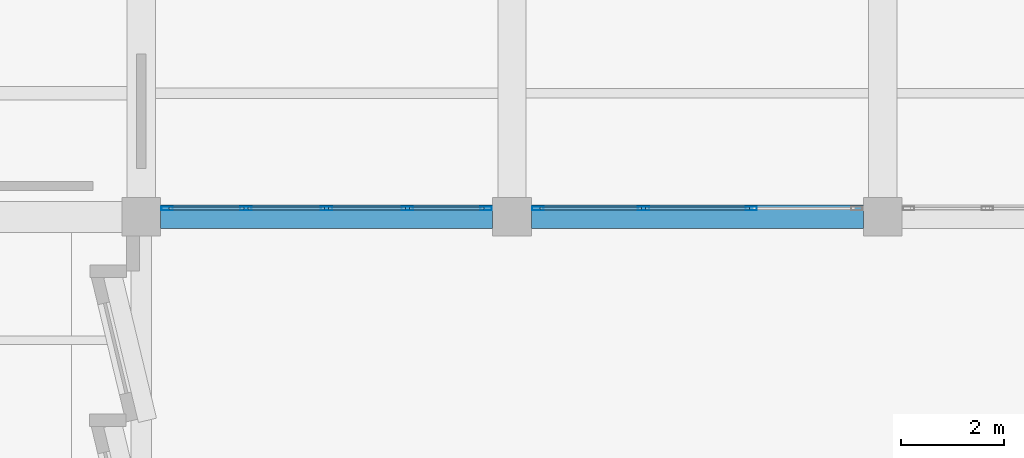
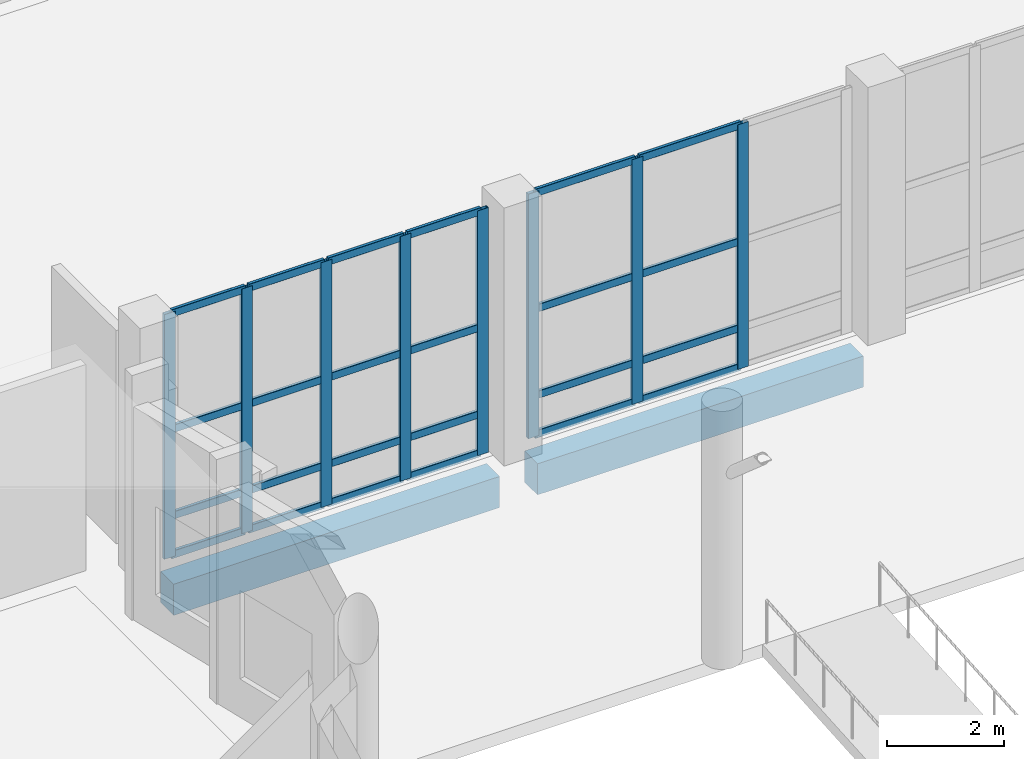
# One storey, part 10 of 137: 32 members, 2 beams, 2 elements without a shape of their own.
"""IFC4 building model written with IfcOpenShell, lengths in metres."""

from ifc_helpers import new_model, si_unit, direction, frame, origin, origin_2d, place, context, subcontext, project, spatial, rectangle, hollow_rectangle, extrude, material, material_profile, profile_set, type_object, element, aggregate, save


model = new_model("IFC4")

# Units and contexts
model_context = context("Model", 3, precision=1e-05, world=origin(), true_north=direction((0.0, 1.0)))
body_context = subcontext(model_context, "Body", "Model", "MODEL_VIEW")
ifc_project = project(units=[si_unit("LENGTHUNIT", "METRE"), si_unit("AREAUNIT", "SQUARE_METRE"), si_unit("VOLUMEUNIT", "CUBIC_METRE"), si_unit("PLANEANGLEUNIT", "RADIAN"), si_unit("MASSUNIT", "GRAM", prefix="KILO")], contexts=[model_context])

# Site, building, storey
site_placement = place(None, origin())
site = spatial("IfcSite", under=ifc_project, at=site_placement, CompositionType="ELEMENT")
building_placement = place(site_placement, origin())
building = spatial("IfcBuilding", under=site, at=building_placement, Name="Kalmorath City Hall", CompositionType="ELEMENT")
storey_placement = place(building_placement, origin())
storey = spatial("IfcBuildingStorey", under=building, at=storey_placement, Name="L00", CompositionType="ELEMENT", Elevation=0.0)

# Beams
ifc_material_1 = material(Name="Concrete C40/50", Category="concrete")
ifc_material_profile_1 = material_profile(ifc_material_1, rectangle(XDim=0.449951171875, YDim=0.64990234375, at=origin_2d()), Name="RC-BM-450X650")
ifc_profile_set_1 = profile_set([ifc_material_profile_1], Name="Concrete C40/50")
beam_type = type_object("IfcBeamType", Name="Concrete spandrel beam 450x650", PredefinedType="SPANDREL", material=ifc_profile_set_1)
for number, where, z_axis, x_axis, name in (
    (1, (36.375, 21.60009765625, -0.62890625), (1.0, 0.0, 0.0), (0.0, 1.0, 0.0), "L00 girder CB5 X6-7/4"),
    (2, (43.574951171875, 21.60009765625, -0.62890625), (1.0, 0.0, 0.0), (0.0, 1.0, 0.0), "L00 girder CB5 X7-8/4"),
):
    element("IfcBeam", number, at=place(storey_placement, frame(where, z_axis=z_axis, x_axis=x_axis)), inside=storey, type_object=beam_type, Name=name, PredefinedType="SPANDREL", context=body_context, shape_type="SweptSolid", body=[
        extrude(rectangle(XDim=0.449951171875, YDim=0.64990234375, at=origin_2d()), origin(), (0.0, 0.0, 1.0), 6.449951171875),
    ])

# Curtain wall, members
ifc_material_2 = material(Name="Anodised aluminium and laminated glass", Category="aluminium")
curtain_wall_type_1 = type_object("IfcCurtainWallType", Name="Unitised hurricane curtain wall 6270x5120 M1800", PredefinedType="NOTDEFINED", material=ifc_material_2)
curtain_wall_1_placement = place(storey_placement, origin())
curtain_wall_1 = element("IfcCurtainWall", 3, at=curtain_wall_1_placement, inside=storey, type_object=curtain_wall_type_1, Name="L00 curtain wall CW-63X51M18 #25", PredefinedType="NOTDEFINED")
ifc_material_3 = material(Name="Anodised aluminium framing", Category="aluminium")
ifc_material_profile_2 = material_profile(ifc_material_3, hollow_rectangle(XDim=0.074951171875, YDim=0.219970703125, WallThickness=0.00390625, InnerFilletRadius=0.00390625, OuterFilletRadius=0.008056640625, at=origin_2d()), Name="ALU-MUL-220X75X4")
ifc_profile_set_2 = profile_set([ifc_material_profile_2], Name="Anodised aluminium framing")
member_type_1 = type_object("IfcMemberType", Name="Curtain-wall primary mullion 220x75", PredefinedType="MULLION", material=ifc_profile_set_2)
member_1_placement = place(storey_placement, frame((47.844970703125, 21.760009765625, 0.0), z_axis=(0.0, 0.0, 1.0), x_axis=(0.0, -1.0, 0.0)))
member_1 = element("IfcMember", 4, at=member_1_placement, type_object=member_type_1, Name="CW-63X51M18 mullion 2", PredefinedType="MULLION", context=body_context, shape_type="SweptSolid", body=[
    extrude(hollow_rectangle(XDim=0.074951171875, YDim=0.219970703125, WallThickness=0.00390625, InnerFilletRadius=0.00390625, OuterFilletRadius=0.008056640625, at=origin_2d()), origin(), (0.0, 0.0, 1.0), 5.1201171875),
])
member_2_placement = place(storey_placement, frame((45.7548828125, 21.760009765625, 0.0), z_axis=(0.0, 0.0, 1.0), x_axis=(0.0, -1.0, 0.0)))
member_2 = element("IfcMember", 5, at=member_2_placement, type_object=member_type_1, Name="CW-63X51M18 mullion 3", PredefinedType="MULLION", context=body_context, shape_type="SweptSolid", body=[
    extrude(hollow_rectangle(XDim=0.074951171875, YDim=0.219970703125, WallThickness=0.00390625, InnerFilletRadius=0.00390625, OuterFilletRadius=0.008056640625, at=origin_2d()), origin(), (0.0, 0.0, 1.0), 5.1201171875),
])
member_3_placement = place(storey_placement, frame((43.702392578125, 21.760009765625, 0.0), z_axis=(0.0, 0.0, 1.0), x_axis=(0.0, -1.0, 0.0)))
member_3 = element("IfcMember", 6, at=member_3_placement, type_object=member_type_1, Name="CW-63X51M18 mullion 4", PredefinedType="MULLION", context=body_context, shape_type="SweptSolid", body=[
    extrude(hollow_rectangle(XDim=0.074951171875, YDim=0.219970703125, WallThickness=0.00390625, InnerFilletRadius=0.00390625, OuterFilletRadius=0.008056640625, at=origin_2d()), origin(), (0.0, 0.0, 1.0), 5.1201171875),
])

ifc_material_4 = material(Name="Anodised aluminium and laminated glass", Category="aluminium")
curtain_wall_type_2 = type_object("IfcCurtainWallType", Name="Unitised hurricane curtain wall 6270x5120 M1500", PredefinedType="NOTDEFINED", material=ifc_material_4)
curtain_wall_2_placement = place(storey_placement, origin())
curtain_wall_2 = element("IfcCurtainWall", 7, at=curtain_wall_2_placement, inside=storey, type_object=curtain_wall_type_2, Name="L00 curtain wall CW-63X51M15 #26", PredefinedType="NOTDEFINED")
member_4_placement = place(storey_placement, frame((42.697509765625, 21.760009765625, 0.0), z_axis=(0.0, 0.0, 1.0), x_axis=(0.0, -1.0, 0.0)))
member_4 = element("IfcMember", 8, at=member_4_placement, type_object=member_type_1, Name="CW-63X51M15 mullion 1", PredefinedType="MULLION", context=body_context, shape_type="SweptSolid", body=[
    extrude(hollow_rectangle(XDim=0.074951171875, YDim=0.219970703125, WallThickness=0.00390625, InnerFilletRadius=0.00390625, OuterFilletRadius=0.008056640625, at=origin_2d()), origin(), (0.0, 0.0, 1.0), 5.1201171875),
])
member_5_placement = place(storey_placement, frame((41.16748046875, 21.760009765625, 0.0), z_axis=(0.0, 0.0, 1.0), x_axis=(0.0, -1.0, 0.0)))
member_5 = element("IfcMember", 9, at=member_5_placement, type_object=member_type_1, Name="CW-63X51M15 mullion 2", PredefinedType="MULLION", context=body_context, shape_type="SweptSolid", body=[
    extrude(hollow_rectangle(XDim=0.074951171875, YDim=0.219970703125, WallThickness=0.00390625, InnerFilletRadius=0.00390625, OuterFilletRadius=0.008056640625, at=origin_2d()), origin(), (0.0, 0.0, 1.0), 5.1201171875),
])
member_6_placement = place(storey_placement, frame((39.60009765625, 21.760009765625, 0.0), z_axis=(0.0, 0.0, 1.0), x_axis=(0.0, -1.0, 0.0)))
member_6 = element("IfcMember", 10, at=member_6_placement, type_object=member_type_1, Name="CW-63X51M15 mullion 3", PredefinedType="MULLION", context=body_context, shape_type="SweptSolid", body=[
    extrude(hollow_rectangle(XDim=0.074951171875, YDim=0.219970703125, WallThickness=0.00390625, InnerFilletRadius=0.00390625, OuterFilletRadius=0.008056640625, at=origin_2d()), origin(), (0.0, 0.0, 1.0), 5.1201171875),
])
member_7_placement = place(storey_placement, frame((38.032470703125, 21.760009765625, 0.0), z_axis=(0.0, 0.0, 1.0), x_axis=(0.0, -1.0, 0.0)))
member_7 = element("IfcMember", 11, at=member_7_placement, type_object=member_type_1, Name="CW-63X51M15 mullion 4", PredefinedType="MULLION", context=body_context, shape_type="SweptSolid", body=[
    extrude(hollow_rectangle(XDim=0.074951171875, YDim=0.219970703125, WallThickness=0.00390625, InnerFilletRadius=0.00390625, OuterFilletRadius=0.008056640625, at=origin_2d()), origin(), (0.0, 0.0, 1.0), 5.1201171875),
])
member_8_placement = place(storey_placement, frame((36.50244140625, 21.760009765625, 0.0), z_axis=(0.0, 0.0, 1.0), x_axis=(0.0, -1.0, 0.0)))
member_8 = element("IfcMember", 12, at=member_8_placement, type_object=member_type_1, Name="CW-63X51M15 mullion 5", PredefinedType="MULLION", context=body_context, shape_type="SweptSolid", body=[
    extrude(hollow_rectangle(XDim=0.074951171875, YDim=0.219970703125, WallThickness=0.00390625, InnerFilletRadius=0.00390625, OuterFilletRadius=0.008056640625, at=origin_2d()), origin(), (0.0, 0.0, 1.0), 5.1201171875),
])

# Member
ifc_material_5 = material(Name="Anodised aluminium framing", Category="aluminium")
ifc_material_profile_3 = material_profile(ifc_material_5, hollow_rectangle(XDim=0.06494140625, YDim=0.159912109375, WallThickness=0.00390625, InnerFilletRadius=0.00390625, OuterFilletRadius=0.008056640625, at=origin_2d()), Name="ALU-TRN-160X65X4")
ifc_profile_set_3 = profile_set([ifc_material_profile_3], Name="Anodised aluminium framing")
member_type_2 = type_object("IfcMemberType", Name="Curtain-wall primary transom 160x65", PredefinedType="USERDEFINED", material=ifc_profile_set_3)
member_9_placement = place(storey_placement, frame((47.8076171875, 21.760009765625, 0.032470703125), z_axis=(-1.0, 0.0, 0.0), x_axis=(0.0, -1.0, 0.0)))
member_9 = element("IfcMember", 13, at=member_9_placement, type_object=member_type_2, Name="CW-63X51M18 transom 2.1", ObjectType="TRANSOM", PredefinedType="USERDEFINED", context=body_context, shape_type="SweptSolid", body=[
    extrude(hollow_rectangle(XDim=0.06494140625, YDim=0.159912109375, WallThickness=0.00390625, InnerFilletRadius=0.00390625, OuterFilletRadius=0.008056640625, at=origin_2d()), origin(), (0.0, 0.0, 1.0), 2.01513671875),
])

member_10_placement = place(storey_placement, frame((47.8076171875, 21.760009765625, 0.85009765625), z_axis=(-1.0, 0.0, 0.0), x_axis=(0.0, -1.0, 0.0)))
member_10 = element("IfcMember", 14, at=member_10_placement, type_object=member_type_2, Name="CW-63X51M18 transom 2.2", ObjectType="TRANSOM", PredefinedType="USERDEFINED", context=body_context, shape_type="SweptSolid", body=[
    extrude(hollow_rectangle(XDim=0.06494140625, YDim=0.159912109375, WallThickness=0.00390625, InnerFilletRadius=0.00390625, OuterFilletRadius=0.008056640625, at=origin_2d()), origin(), (0.0, 0.0, 1.0), 2.01513671875),
])

member_11_placement = place(storey_placement, frame((47.8076171875, 21.760009765625, 2.662109375), z_axis=(-1.0, 0.0, 0.0), x_axis=(0.0, -1.0, 0.0)))
member_11 = element("IfcMember", 15, at=member_11_placement, type_object=member_type_2, Name="CW-63X51M18 transom 2.3", ObjectType="TRANSOM", PredefinedType="USERDEFINED", context=body_context, shape_type="SweptSolid", body=[
    extrude(hollow_rectangle(XDim=0.06494140625, YDim=0.159912109375, WallThickness=0.00390625, InnerFilletRadius=0.00390625, OuterFilletRadius=0.008056640625, at=origin_2d()), origin(), (0.0, 0.0, 1.0), 2.01513671875),
])

member_12_placement = place(storey_placement, frame((47.8076171875, 21.760009765625, 5.08740234375), z_axis=(-1.0, 0.0, 0.0), x_axis=(0.0, -1.0, 0.0)))
member_12 = element("IfcMember", 16, at=member_12_placement, type_object=member_type_2, Name="CW-63X51M18 transom 2.4", ObjectType="TRANSOM", PredefinedType="USERDEFINED", context=body_context, shape_type="SweptSolid", body=[
    extrude(hollow_rectangle(XDim=0.06494140625, YDim=0.159912109375, WallThickness=0.00390625, InnerFilletRadius=0.00390625, OuterFilletRadius=0.008056640625, at=origin_2d()), origin(), (0.0, 0.0, 1.0), 2.01513671875),
])

member_13_placement = place(storey_placement, frame((45.717529296875, 21.760009765625, 0.032470703125), z_axis=(-1.0, 0.0, 0.0), x_axis=(0.0, -1.0, 0.0)))
member_13 = element("IfcMember", 17, at=member_13_placement, type_object=member_type_2, Name="CW-63X51M18 transom 3.1", ObjectType="TRANSOM", PredefinedType="USERDEFINED", context=body_context, shape_type="SweptSolid", body=[
    extrude(hollow_rectangle(XDim=0.06494140625, YDim=0.159912109375, WallThickness=0.00390625, InnerFilletRadius=0.00390625, OuterFilletRadius=0.008056640625, at=origin_2d()), origin(), (0.0, 0.0, 1.0), 1.9775390625),
])

member_14_placement = place(storey_placement, frame((45.717529296875, 21.760009765625, 0.85009765625), z_axis=(-1.0, 0.0, 0.0), x_axis=(0.0, -1.0, 0.0)))
member_14 = element("IfcMember", 18, at=member_14_placement, type_object=member_type_2, Name="CW-63X51M18 transom 3.2", ObjectType="TRANSOM", PredefinedType="USERDEFINED", context=body_context, shape_type="SweptSolid", body=[
    extrude(hollow_rectangle(XDim=0.06494140625, YDim=0.159912109375, WallThickness=0.00390625, InnerFilletRadius=0.00390625, OuterFilletRadius=0.008056640625, at=origin_2d()), origin(), (0.0, 0.0, 1.0), 1.9775390625),
])

member_15_placement = place(storey_placement, frame((45.717529296875, 21.760009765625, 2.662109375), z_axis=(-1.0, 0.0, 0.0), x_axis=(0.0, -1.0, 0.0)))
member_15 = element("IfcMember", 19, at=member_15_placement, type_object=member_type_2, Name="CW-63X51M18 transom 3.3", ObjectType="TRANSOM", PredefinedType="USERDEFINED", context=body_context, shape_type="SweptSolid", body=[
    extrude(hollow_rectangle(XDim=0.06494140625, YDim=0.159912109375, WallThickness=0.00390625, InnerFilletRadius=0.00390625, OuterFilletRadius=0.008056640625, at=origin_2d()), origin(), (0.0, 0.0, 1.0), 1.9775390625),
])

member_16_placement = place(storey_placement, frame((45.717529296875, 21.760009765625, 5.08740234375), z_axis=(-1.0, 0.0, 0.0), x_axis=(0.0, -1.0, 0.0)))
member_16 = element("IfcMember", 20, at=member_16_placement, type_object=member_type_2, Name="CW-63X51M18 transom 3.4", ObjectType="TRANSOM", PredefinedType="USERDEFINED", context=body_context, shape_type="SweptSolid", body=[
    extrude(hollow_rectangle(XDim=0.06494140625, YDim=0.159912109375, WallThickness=0.00390625, InnerFilletRadius=0.00390625, OuterFilletRadius=0.008056640625, at=origin_2d()), origin(), (0.0, 0.0, 1.0), 1.9775390625),
])

aggregate(curtain_wall_1, [member_1, member_2, member_3, member_9, member_10, member_11, member_12, member_13, member_14, member_15, member_16])

member_17_placement = place(storey_placement, frame((42.659912109375, 21.760009765625, 0.032470703125), z_axis=(-1.0, 0.0, 0.0), x_axis=(0.0, -1.0, 0.0)))
member_17 = element("IfcMember", 21, at=member_17_placement, type_object=member_type_2, Name="CW-63X51M15 transom 1.1", ObjectType="TRANSOM", PredefinedType="USERDEFINED", context=body_context, shape_type="SweptSolid", body=[
    extrude(hollow_rectangle(XDim=0.06494140625, YDim=0.159912109375, WallThickness=0.00390625, InnerFilletRadius=0.00390625, OuterFilletRadius=0.008056640625, at=origin_2d()), origin(), (0.0, 0.0, 1.0), 1.454833984375),
])

member_18_placement = place(storey_placement, frame((42.659912109375, 21.760009765625, 0.85009765625), z_axis=(-1.0, 0.0, 0.0), x_axis=(0.0, -1.0, 0.0)))
member_18 = element("IfcMember", 22, at=member_18_placement, type_object=member_type_2, Name="CW-63X51M15 transom 1.2", ObjectType="TRANSOM", PredefinedType="USERDEFINED", context=body_context, shape_type="SweptSolid", body=[
    extrude(hollow_rectangle(XDim=0.06494140625, YDim=0.159912109375, WallThickness=0.00390625, InnerFilletRadius=0.00390625, OuterFilletRadius=0.008056640625, at=origin_2d()), origin(), (0.0, 0.0, 1.0), 1.454833984375),
])

member_19_placement = place(storey_placement, frame((42.659912109375, 21.760009765625, 2.662109375), z_axis=(-1.0, 0.0, 0.0), x_axis=(0.0, -1.0, 0.0)))
member_19 = element("IfcMember", 23, at=member_19_placement, type_object=member_type_2, Name="CW-63X51M15 transom 1.3", ObjectType="TRANSOM", PredefinedType="USERDEFINED", context=body_context, shape_type="SweptSolid", body=[
    extrude(hollow_rectangle(XDim=0.06494140625, YDim=0.159912109375, WallThickness=0.00390625, InnerFilletRadius=0.00390625, OuterFilletRadius=0.008056640625, at=origin_2d()), origin(), (0.0, 0.0, 1.0), 1.454833984375),
])

member_20_placement = place(storey_placement, frame((42.659912109375, 21.760009765625, 5.08740234375), z_axis=(-1.0, 0.0, 0.0), x_axis=(0.0, -1.0, 0.0)))
member_20 = element("IfcMember", 24, at=member_20_placement, type_object=member_type_2, Name="CW-63X51M15 transom 1.4", ObjectType="TRANSOM", PredefinedType="USERDEFINED", context=body_context, shape_type="SweptSolid", body=[
    extrude(hollow_rectangle(XDim=0.06494140625, YDim=0.159912109375, WallThickness=0.00390625, InnerFilletRadius=0.00390625, OuterFilletRadius=0.008056640625, at=origin_2d()), origin(), (0.0, 0.0, 1.0), 1.454833984375),
])

member_21_placement = place(storey_placement, frame((41.1298828125, 21.760009765625, 0.032470703125), z_axis=(-1.0, 0.0, 0.0), x_axis=(0.0, -1.0, 0.0)))
member_21 = element("IfcMember", 25, at=member_21_placement, type_object=member_type_2, Name="CW-63X51M15 transom 2.1", ObjectType="TRANSOM", PredefinedType="USERDEFINED", context=body_context, shape_type="SweptSolid", body=[
    extrude(hollow_rectangle(XDim=0.06494140625, YDim=0.159912109375, WallThickness=0.00390625, InnerFilletRadius=0.00390625, OuterFilletRadius=0.008056640625, at=origin_2d()), origin(), (0.0, 0.0, 1.0), 1.492431640625),
])

member_22_placement = place(storey_placement, frame((41.1298828125, 21.760009765625, 0.85009765625), z_axis=(-1.0, 0.0, 0.0), x_axis=(0.0, -1.0, 0.0)))
member_22 = element("IfcMember", 26, at=member_22_placement, type_object=member_type_2, Name="CW-63X51M15 transom 2.2", ObjectType="TRANSOM", PredefinedType="USERDEFINED", context=body_context, shape_type="SweptSolid", body=[
    extrude(hollow_rectangle(XDim=0.06494140625, YDim=0.159912109375, WallThickness=0.00390625, InnerFilletRadius=0.00390625, OuterFilletRadius=0.008056640625, at=origin_2d()), origin(), (0.0, 0.0, 1.0), 1.492431640625),
])

member_23_placement = place(storey_placement, frame((41.1298828125, 21.760009765625, 2.662109375), z_axis=(-1.0, 0.0, 0.0), x_axis=(0.0, -1.0, 0.0)))
member_23 = element("IfcMember", 27, at=member_23_placement, type_object=member_type_2, Name="CW-63X51M15 transom 2.3", ObjectType="TRANSOM", PredefinedType="USERDEFINED", context=body_context, shape_type="SweptSolid", body=[
    extrude(hollow_rectangle(XDim=0.06494140625, YDim=0.159912109375, WallThickness=0.00390625, InnerFilletRadius=0.00390625, OuterFilletRadius=0.008056640625, at=origin_2d()), origin(), (0.0, 0.0, 1.0), 1.492431640625),
])

member_24_placement = place(storey_placement, frame((41.1298828125, 21.760009765625, 5.08740234375), z_axis=(-1.0, 0.0, 0.0), x_axis=(0.0, -1.0, 0.0)))
member_24 = element("IfcMember", 28, at=member_24_placement, type_object=member_type_2, Name="CW-63X51M15 transom 2.4", ObjectType="TRANSOM", PredefinedType="USERDEFINED", context=body_context, shape_type="SweptSolid", body=[
    extrude(hollow_rectangle(XDim=0.06494140625, YDim=0.159912109375, WallThickness=0.00390625, InnerFilletRadius=0.00390625, OuterFilletRadius=0.008056640625, at=origin_2d()), origin(), (0.0, 0.0, 1.0), 1.492431640625),
])

member_25_placement = place(storey_placement, frame((39.5625, 21.760009765625, 0.032470703125), z_axis=(-1.0, 0.0, 0.0), x_axis=(0.0, -1.0, 0.0)))
member_25 = element("IfcMember", 29, at=member_25_placement, type_object=member_type_2, Name="CW-63X51M15 transom 3.1", ObjectType="TRANSOM", PredefinedType="USERDEFINED", context=body_context, shape_type="SweptSolid", body=[
    extrude(hollow_rectangle(XDim=0.06494140625, YDim=0.159912109375, WallThickness=0.00390625, InnerFilletRadius=0.00390625, OuterFilletRadius=0.008056640625, at=origin_2d()), origin(), (0.0, 0.0, 1.0), 1.492431640625),
])

member_26_placement = place(storey_placement, frame((39.5625, 21.760009765625, 0.85009765625), z_axis=(-1.0, 0.0, 0.0), x_axis=(0.0, -1.0, 0.0)))
member_26 = element("IfcMember", 30, at=member_26_placement, type_object=member_type_2, Name="CW-63X51M15 transom 3.2", ObjectType="TRANSOM", PredefinedType="USERDEFINED", context=body_context, shape_type="SweptSolid", body=[
    extrude(hollow_rectangle(XDim=0.06494140625, YDim=0.159912109375, WallThickness=0.00390625, InnerFilletRadius=0.00390625, OuterFilletRadius=0.008056640625, at=origin_2d()), origin(), (0.0, 0.0, 1.0), 1.492431640625),
])

member_27_placement = place(storey_placement, frame((39.5625, 21.760009765625, 2.662109375), z_axis=(-1.0, 0.0, 0.0), x_axis=(0.0, -1.0, 0.0)))
member_27 = element("IfcMember", 31, at=member_27_placement, type_object=member_type_2, Name="CW-63X51M15 transom 3.3", ObjectType="TRANSOM", PredefinedType="USERDEFINED", context=body_context, shape_type="SweptSolid", body=[
    extrude(hollow_rectangle(XDim=0.06494140625, YDim=0.159912109375, WallThickness=0.00390625, InnerFilletRadius=0.00390625, OuterFilletRadius=0.008056640625, at=origin_2d()), origin(), (0.0, 0.0, 1.0), 1.492431640625),
])

member_28_placement = place(storey_placement, frame((39.5625, 21.760009765625, 5.08740234375), z_axis=(-1.0, 0.0, 0.0), x_axis=(0.0, -1.0, 0.0)))
member_28 = element("IfcMember", 32, at=member_28_placement, type_object=member_type_2, Name="CW-63X51M15 transom 3.4", ObjectType="TRANSOM", PredefinedType="USERDEFINED", context=body_context, shape_type="SweptSolid", body=[
    extrude(hollow_rectangle(XDim=0.06494140625, YDim=0.159912109375, WallThickness=0.00390625, InnerFilletRadius=0.00390625, OuterFilletRadius=0.008056640625, at=origin_2d()), origin(), (0.0, 0.0, 1.0), 1.492431640625),
])

member_29_placement = place(storey_placement, frame((37.9951171875, 21.760009765625, 0.032470703125), z_axis=(-1.0, 0.0, 0.0), x_axis=(0.0, -1.0, 0.0)))
member_29 = element("IfcMember", 33, at=member_29_placement, type_object=member_type_2, Name="CW-63X51M15 transom 4.1", ObjectType="TRANSOM", PredefinedType="USERDEFINED", context=body_context, shape_type="SweptSolid", body=[
    extrude(hollow_rectangle(XDim=0.06494140625, YDim=0.159912109375, WallThickness=0.00390625, InnerFilletRadius=0.00390625, OuterFilletRadius=0.008056640625, at=origin_2d()), origin(), (0.0, 0.0, 1.0), 1.455078125),
])

member_30_placement = place(storey_placement, frame((37.9951171875, 21.760009765625, 0.85009765625), z_axis=(-1.0, 0.0, 0.0), x_axis=(0.0, -1.0, 0.0)))
member_30 = element("IfcMember", 34, at=member_30_placement, type_object=member_type_2, Name="CW-63X51M15 transom 4.2", ObjectType="TRANSOM", PredefinedType="USERDEFINED", context=body_context, shape_type="SweptSolid", body=[
    extrude(hollow_rectangle(XDim=0.06494140625, YDim=0.159912109375, WallThickness=0.00390625, InnerFilletRadius=0.00390625, OuterFilletRadius=0.008056640625, at=origin_2d()), origin(), (0.0, 0.0, 1.0), 1.455078125),
])

member_31_placement = place(storey_placement, frame((37.9951171875, 21.760009765625, 2.662109375), z_axis=(-1.0, 0.0, 0.0), x_axis=(0.0, -1.0, 0.0)))
member_31 = element("IfcMember", 35, at=member_31_placement, type_object=member_type_2, Name="CW-63X51M15 transom 4.3", ObjectType="TRANSOM", PredefinedType="USERDEFINED", context=body_context, shape_type="SweptSolid", body=[
    extrude(hollow_rectangle(XDim=0.06494140625, YDim=0.159912109375, WallThickness=0.00390625, InnerFilletRadius=0.00390625, OuterFilletRadius=0.008056640625, at=origin_2d()), origin(), (0.0, 0.0, 1.0), 1.455078125),
])

member_32_placement = place(storey_placement, frame((37.9951171875, 21.760009765625, 5.08740234375), z_axis=(-1.0, 0.0, 0.0), x_axis=(0.0, -1.0, 0.0)))
member_32 = element("IfcMember", 36, at=member_32_placement, type_object=member_type_2, Name="CW-63X51M15 transom 4.4", ObjectType="TRANSOM", PredefinedType="USERDEFINED", context=body_context, shape_type="SweptSolid", body=[
    extrude(hollow_rectangle(XDim=0.06494140625, YDim=0.159912109375, WallThickness=0.00390625, InnerFilletRadius=0.00390625, OuterFilletRadius=0.008056640625, at=origin_2d()), origin(), (0.0, 0.0, 1.0), 1.455078125),
])

aggregate(curtain_wall_2, [member_4, member_5, member_6, member_7, member_8, member_17, member_18, member_19, member_20, member_21, member_22, member_23, member_24, member_25, member_26, member_27, member_28, member_29, member_30, member_31, member_32])

save(model, "model.ifc")
